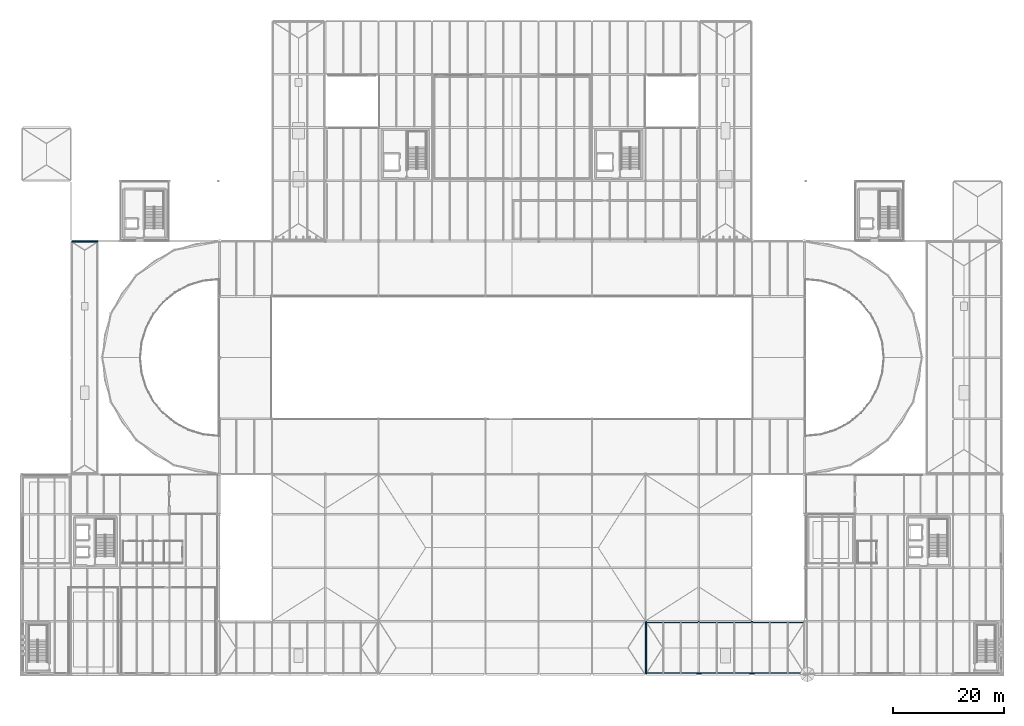
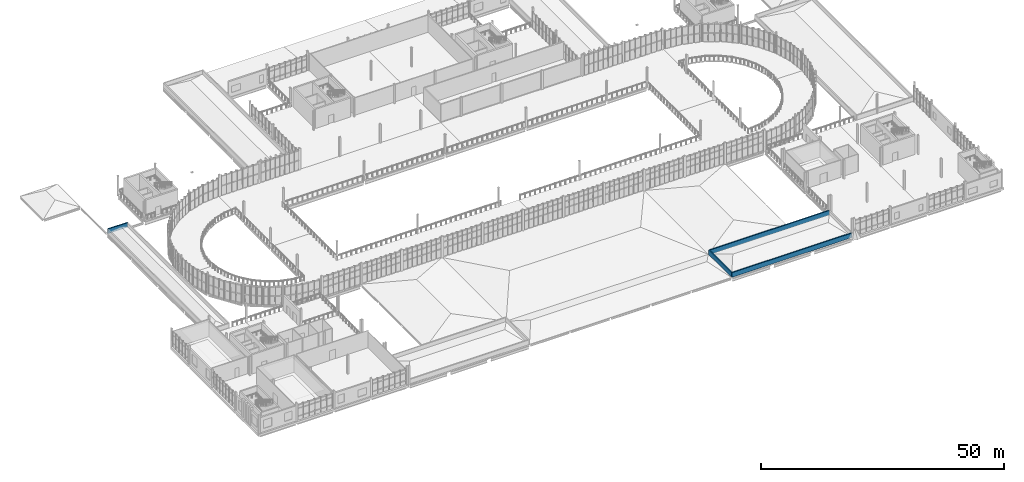
# One storey, part 93 of 112: 4 walls.
"""IFC4 building model written with IfcOpenShell, lengths in metres."""

from ifc_helpers import new_model, si_unit, direction, frame, frame_2d, origin, place, context, subcontext, project, spatial, rectangle, extrude, material, layer, layer_set, type_object, element, save


model = new_model("IFC4")

# Units and contexts
model_context = context("Model", 3, precision=1e-05, world=origin(), true_north=direction((0.0, 1.0)))
body_context = subcontext(model_context, "Body", "Model", "MODEL_VIEW")
ifc_project = project(units=[si_unit("LENGTHUNIT", "METRE"), si_unit("AREAUNIT", "SQUARE_METRE"), si_unit("VOLUMEUNIT", "CUBIC_METRE"), si_unit("PLANEANGLEUNIT", "RADIAN"), si_unit("MASSUNIT", "GRAM", prefix="KILO")], contexts=[model_context])

# Site, building, storey
site_placement = place(None, origin())
site = spatial("IfcSite", under=ifc_project, at=site_placement, CompositionType="ELEMENT")
building_placement = place(site_placement, origin())
building = spatial("IfcBuilding", under=site, at=building_placement, Name="Yeouljin Market Hall", CompositionType="ELEMENT")
storey_placement = place(building_placement, frame((0.0, 0.0, 6.0)))
storey = spatial("IfcBuildingStorey", under=building, at=storey_placement, Name="L01", CompositionType="ELEMENT", Elevation=6.0)

# Walls
ifc_material = material(Name="Pocheon Granite Stone", Category="masonry")
ifc_layer = layer(ifc_material, 0.260009765625)
ifc_layer_set = layer_set([ifc_layer], Name="Pocheon Granite Stone")
wall_type = type_object("IfcWallType", Name="Wall_Parapet_Granite_260", PredefinedType="PARAPET", material=ifc_layer_set)
for number, where, z_axis, x_axis, name in (
    (1, (112.340087890625, 0.139892578125, 0.010009765625), (0.0, 0.0, 1.0), (1.0, 0.0, 0.0), "Roof parapet RSLB-V5-E-1"),
    (2, (140.860107421875, 9.4599609375, 0.010009765625), (0.0, 0.0, 1.0), (-1.0, 0.0, 0.0), "Roof parapet RSLB-V5-E-3"),
):
    element("IfcWall", number, at=place(storey_placement, frame(where, z_axis=z_axis, x_axis=x_axis)), inside=storey, type_object=wall_type, Name=name, PredefinedType="PARAPET", context=body_context, shape_type="SweptSolid", body=[
        extrude(rectangle(XDim=28.52001953125, YDim=0.260009765625, at=frame_2d((14.260009765625, 0.0))), origin(), (0.0, 0.0, 1.0), 1.14990234375),
    ])
wall_1_placement = place(storey_placement, frame((112.340087890625, 9.4599609375, 0.010009765625), z_axis=(0.0, 0.0, 1.0), x_axis=(0.0, -1.0, 0.0)))
element("IfcWall", 3, at=wall_1_placement, inside=storey, type_object=wall_type, Name="Roof parapet RSLB-V5-E-4", PredefinedType="PARAPET", context=body_context, shape_type="SweptSolid", body=[
    extrude(rectangle(XDim=9.320068359375, YDim=0.260009765625, at=frame_2d((4.66015625, 0.0))), origin(), (0.0, 0.0, 1.0), 1.14990234375),
])
wall_2_placement = place(storey_placement, frame((13.659912109375, 77.860107421875, 0.010009765625), z_axis=(0.0, 0.0, 1.0), x_axis=(-1.0, 0.0, 0.0)))
element("IfcWall", 4, at=wall_2_placement, inside=storey, type_object=wall_type, Name="Roof parapet RSLB-V2-L01M-3", PredefinedType="PARAPET", context=body_context, shape_type="SweptSolid", body=[
    extrude(rectangle(XDim=4.669921875, YDim=0.260009765625, at=frame_2d((2.3349609375, 0.0))), origin(), (0.0, 0.0, 1.0), 1.14990234375),
])

save(model, "model.ifc")
